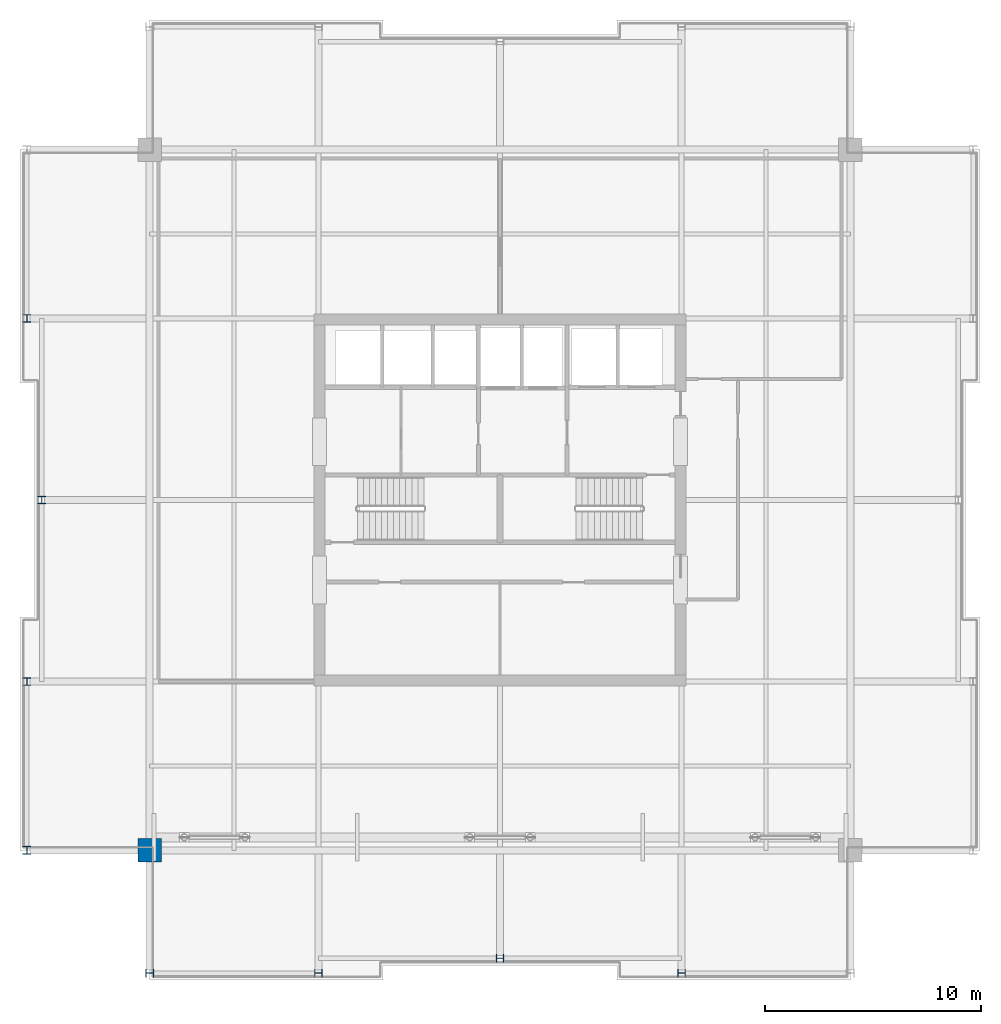
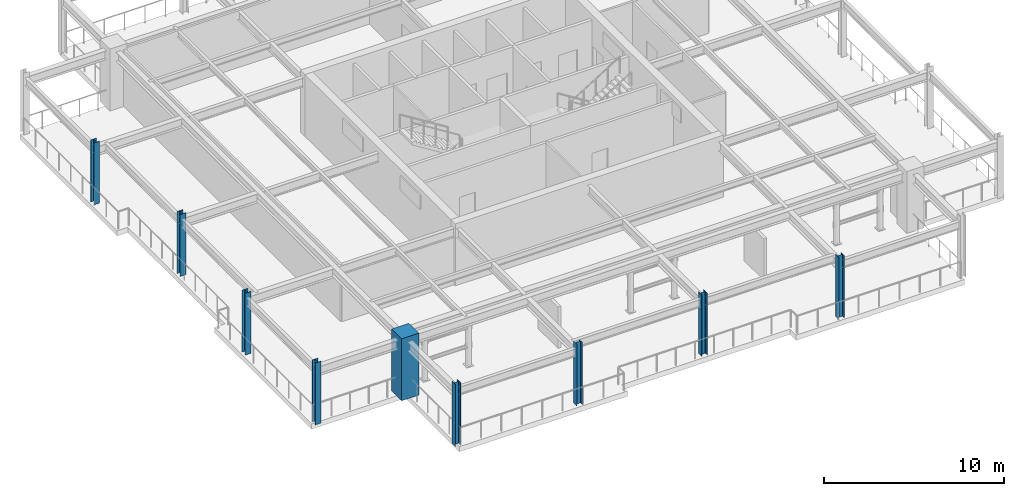
# One storey, part 1 of 13: 9 columns.
"""IFC4 building model written with IfcOpenShell, lengths in metres."""

from ifc_helpers import new_model, si_unit, direction, frame, origin, origin_2d, place, context, subcontext, project, spatial, rectangle, i_section, extrude, material, material_profile, profile_set, type_object, element, save


model = new_model("IFC4")

# Units and contexts
model_context = context("Model", 3, precision=1e-05, world=origin(), true_north=direction((0.0, 1.0)))
body_context = subcontext(model_context, "Body", "Model", "MODEL_VIEW")
ifc_project = project(units=[si_unit("LENGTHUNIT", "METRE"), si_unit("AREAUNIT", "SQUARE_METRE"), si_unit("VOLUMEUNIT", "CUBIC_METRE"), si_unit("PLANEANGLEUNIT", "RADIAN"), si_unit("MASSUNIT", "GRAM", prefix="KILO")], contexts=[model_context])

# Site, building, storey
site_placement = place(None, origin())
site = spatial("IfcSite", under=ifc_project, at=site_placement, CompositionType="ELEMENT")
building_placement = place(site_placement, origin())
building = spatial("IfcBuilding", under=site, at=building_placement, Name="Drelvath Grand Hotel", CompositionType="ELEMENT")
storey_placement = place(building_placement, frame((0.0, 0.0, 303.0)))
storey = spatial("IfcBuildingStorey", under=building, at=storey_placement, Name="L79", CompositionType="ELEMENT", Elevation=303.0)

# Columns
ifc_material_1 = material(Name="Concrete f'c 55 MPa", Category="concrete")
ifc_material_profile_1 = material_profile(ifc_material_1, rectangle(XDim=1.10009765625, YDim=1.10009765625, at=origin_2d()), Name="MC1100X1100")
ifc_profile_set_1 = profile_set([ifc_material_profile_1], Name="Concrete f'c 55 MPa")
column_type_1 = type_object("IfcColumnType", Name="Composite Mega Column MC1100X1100", PredefinedType="COLUMN", material=ifc_profile_set_1)
column_placement = place(storey_placement, frame((-16.199951171875, 10.800048828125, 0.0), z_axis=(0.0, 0.0, 1.0), x_axis=(1.0, 0.0, 0.0)))
element("IfcColumn", 1, at=column_placement, inside=storey, type_object=column_type_1, Name="L79 Composite Mega Column MC-SW", PredefinedType="COLUMN", context=body_context, shape_type="SweptSolid", body=[
    extrude(rectangle(XDim=1.10009765625, YDim=1.10009765625, at=origin_2d()), origin(), (0.0, 0.0, 1.0), 4.199951171875),
])
ifc_material_2 = material(Name="Steel ASTM A913 Gr 65", Category="steel")
ifc_material_profile_2 = material_profile(ifc_material_2, i_section(OverallWidth=0.368896484375, OverallDepth=0.356201171875, WebThickness=0.01123046875, FlangeThickness=0.01806640625, FilletRadius=0.02490234375, at=origin_2d()), Name="W14X90")
ifc_profile_set_2 = profile_set([ifc_material_profile_2], Name="Steel ASTM A913 Gr 65")
column_type_2 = type_object("IfcColumnType", Name="Perimeter Steel Column W14X90", PredefinedType="COLUMN", material=ifc_profile_set_2)
for number, where, z_axis, x_axis, name in (
    (2, (-21.8798828125, 10.800048828125, 0.0), (0.0, 0.0, 1.0), (1.0, 0.0, 0.0), "L79 Structural Column TCW-C"),
    (3, (-21.8798828125, 18.60009765625, 0.0), (0.0, 0.0, 1.0), (1.0, 0.0, 0.0), "L79 Structural Column TCW-D"),
    (4, (-21.199951171875, 27.0, 0.0), (0.0, 0.0, 1.0), (1.0, 0.0, 0.0), "L79 Structural Column TCW-E"),
    (5, (-21.8798828125, 35.39990234375, 0.0), (0.0, 0.0, 1.0), (1.0, 0.0, 0.0), "L79 Structural Column TCW-F"),
    (6, (-16.199951171875, 5.1201171875, 0.0), (0.0, 0.0, 1.0), (0.0, 1.0, 0.0), "L79 Structural Column TCS-3"),
    (7, (-8.39990234375, 5.1201171875, 0.0), (0.0, 0.0, 1.0), (0.0, 1.0, 0.0), "L79 Structural Column TCS-4"),
    (8, (0.0, 5.800048828125, 0.0), (0.0, 0.0, 1.0), (0.0, 1.0, 0.0), "L79 Structural Column TCS-5"),
    (9, (8.39990234375, 5.1201171875, 0.0), (0.0, 0.0, 1.0), (0.0, 1.0, 0.0), "L79 Structural Column TCS-6"),
):
    element("IfcColumn", number, at=place(storey_placement, frame(where, z_axis=z_axis, x_axis=x_axis)), inside=storey, type_object=column_type_2, Name=name, PredefinedType="COLUMN", context=body_context, shape_type="SweptSolid", body=[
        extrude(i_section(OverallWidth=0.368896484375, OverallDepth=0.356201171875, WebThickness=0.01123046875, FlangeThickness=0.01806640625, FilletRadius=0.02490234375, at=origin_2d()), origin(), (0.0, 0.0, 1.0), 4.197021484375),
    ])

save(model, "model.ifc")
